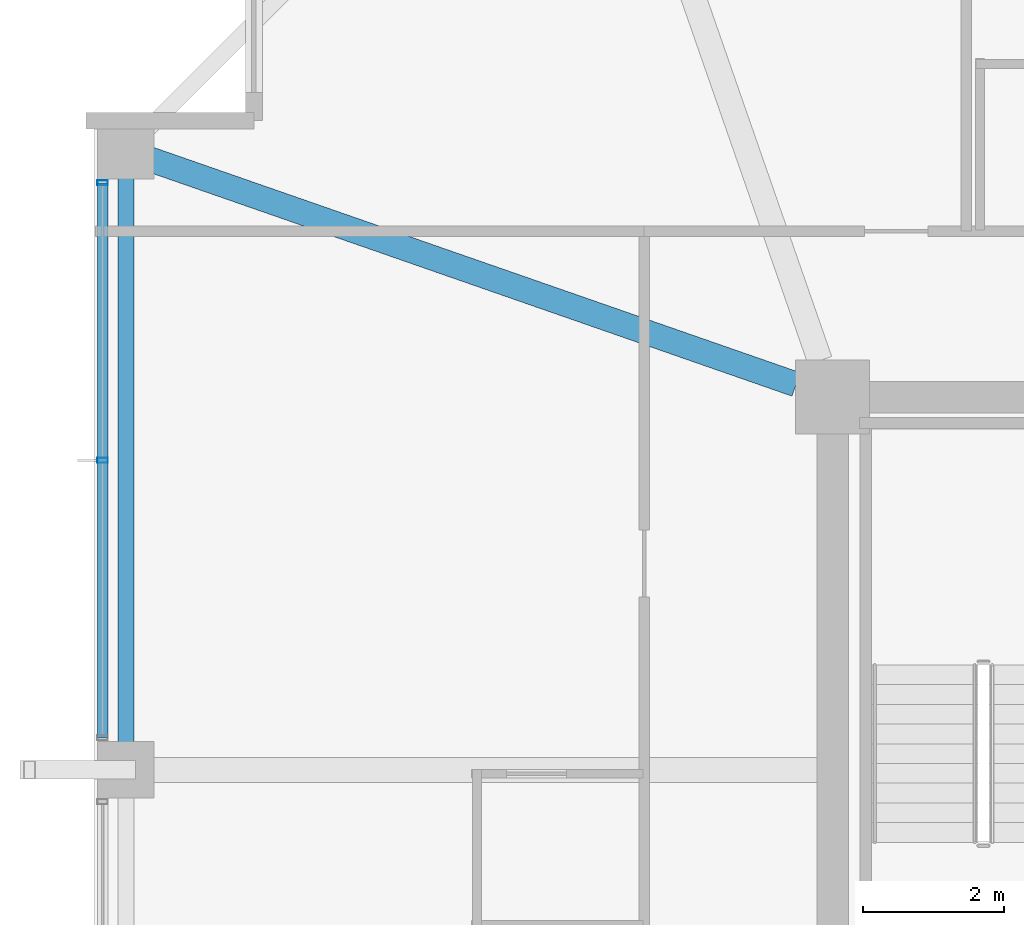
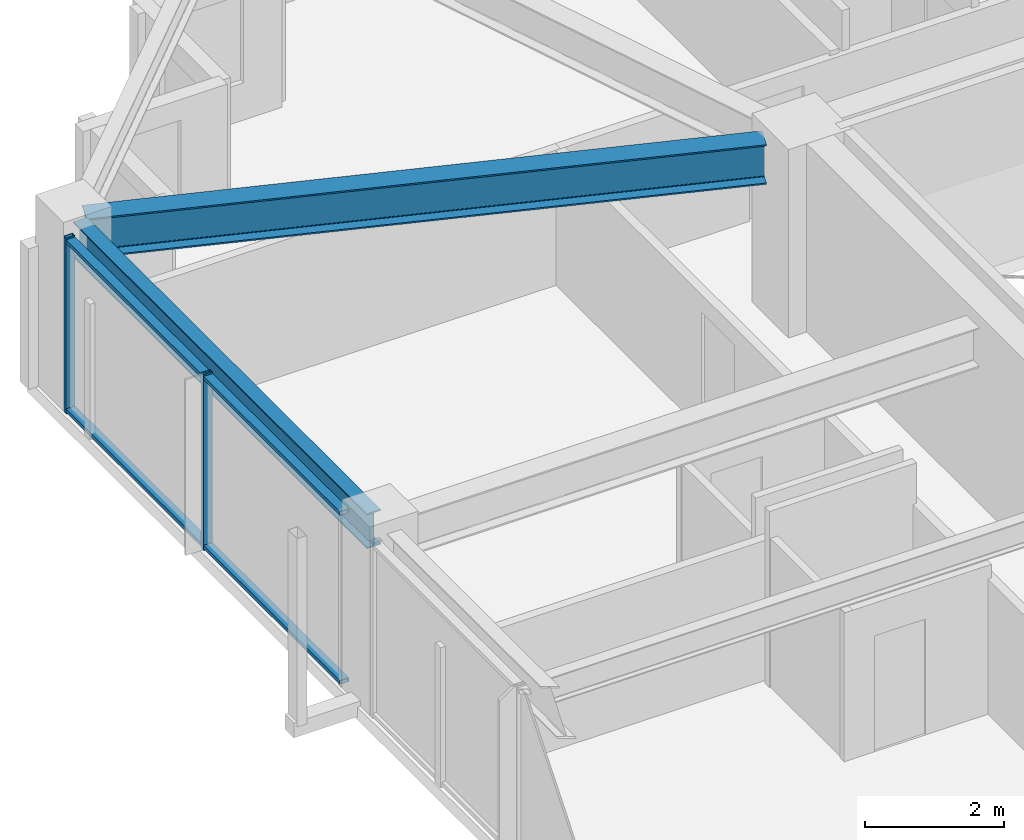
# One storey, part 16 of 38: 4 members, 2 beams, 1 element without a shape of its own.
"""IFC4 building model written with IfcOpenShell, lengths in metres."""

from ifc_helpers import new_model, si_unit, direction, frame, origin, origin_2d, place, context, subcontext, project, spatial, hollow_rectangle, i_section, extrude, material, material_profile, profile_set, type_object, element, aggregate, save


model = new_model("IFC4")

# Units and contexts
model_context = context("Model", 3, precision=1e-05, world=origin(), true_north=direction((0.0, 1.0)))
body_context = subcontext(model_context, "Body", "Model", "MODEL_VIEW")
ifc_project = project(units=[si_unit("LENGTHUNIT", "METRE"), si_unit("AREAUNIT", "SQUARE_METRE"), si_unit("VOLUMEUNIT", "CUBIC_METRE"), si_unit("PLANEANGLEUNIT", "RADIAN"), si_unit("MASSUNIT", "GRAM", prefix="KILO")], contexts=[model_context])

# Site, building, storey
site_placement = place(None, origin())
site = spatial("IfcSite", under=ifc_project, at=site_placement, CompositionType="ELEMENT")
building_placement = place(site_placement, origin())
building = spatial("IfcBuilding", under=site, at=building_placement, Name="Kolvaren Belvedere", CompositionType="ELEMENT")
storey_placement = place(building_placement, frame((0.0, 0.0, 213.0)))
storey = spatial("IfcBuildingStorey", under=building, at=storey_placement, Name="L62", CompositionType="ELEMENT", Elevation=213.0)

# Beams
ifc_material_1 = material(Name="Structural steel ASTM A992 Grade 50", Category="steel")
ifc_material_profile_1 = material_profile(ifc_material_1, i_section(OverallWidth=0.35498046875, OverallDepth=0.696044921875, WebThickness=0.015380859375, FlangeThickness=0.02490234375, FilletRadius=0.02197265625, at=origin_2d()), Name="W27X146")
ifc_profile_set_1 = profile_set([ifc_material_profile_1], Name="Structural steel ASTM A992 Grade 50")
beam_type_1 = type_object("IfcBeamType", Name="BM-GIRD-W27X146", PredefinedType="BEAM", material=ifc_profile_set_1)
beam_1_placement = place(storey_placement, frame((-10.41943359375, 10.080810546875, 2.73193359375), z_axis=(-0.944365399758, 0.328898147971, 0.0), x_axis=(-0.328898147971, -0.944365399758, 0.0)))
element("IfcBeam", 1, at=beam_1_placement, inside=storey, type_object=beam_type_1, Name="L62 Corner Core-to-Perimeter Girder CC4-W4", PredefinedType="BEAM", context=body_context, shape_type="SweptSolid", body=[
    extrude(i_section(OverallWidth=0.35498046875, OverallDepth=0.696044921875, WebThickness=0.015380859375, FlangeThickness=0.02490234375, FilletRadius=0.02197265625, at=origin_2d()), origin(), (0.0, 0.0, 1.0), 9.931884765625),
])
ifc_material_2 = material(Name="Structural steel ASTM A992 Grade 50", Category="steel")
ifc_material_profile_2 = material_profile(ifc_material_2, i_section(OverallWidth=0.22900390625, OverallDepth=0.612060546875, WebThickness=0.011962890625, FlangeThickness=0.01953125, FilletRadius=0.01806640625, at=origin_2d()), Name="W24X84")
ifc_profile_set_2 = profile_set([ifc_material_profile_2], Name="Structural steel ASTM A992 Grade 50")
beam_type_2 = type_object("IfcBeamType", Name="BM-SPAN-W24X84", PredefinedType="SPANDREL", material=ifc_profile_set_2)
beam_2_placement = place(storey_placement, frame((-19.949951171875, 13.219970703125, 2.77392578125), z_axis=(0.0, -1.0, 0.0), x_axis=(1.0, 0.0, 0.0)))
element("IfcBeam", 2, at=beam_2_placement, inside=storey, type_object=beam_type_2, Name="L62 Perimeter Spandrel W4-W3", PredefinedType="SPANDREL", context=body_context, shape_type="SweptSolid", body=[
    extrude(i_section(OverallWidth=0.22900390625, OverallDepth=0.612060546875, WebThickness=0.011962890625, FlangeThickness=0.01953125, FilletRadius=0.01806640625, at=origin_2d()), origin(), (0.0, 0.0, 1.0), 8.43994140625),
])

# Curtain wall, members
ifc_material_3 = material(Name="Anodised pale-metal aluminium AA 6063-T6", Category="aluminium")
curtain_wall_type = type_object("IfcCurtainWallType", Name="CW-Z5-HIGH", PredefinedType="NOTDEFINED", material=ifc_material_3)
curtain_wall_placement = place(storey_placement, origin())
curtain_wall = element("IfcCurtainWall", 3, at=curtain_wall_placement, inside=storey, type_object=curtain_wall_type, Name="L62 Unitised Curtain Wall FCW-L62-W-B3", PredefinedType="NOTDEFINED")
ifc_material_4 = material(Name="Anodised pale-metal aluminium AA 6063-T6", Category="aluminium")
ifc_material_profile_3 = material_profile(ifc_material_4, hollow_rectangle(XDim=0.070068359375, YDim=0.14990234375, WallThickness=0.004150390625, at=origin_2d()), Name="ALU-MUL-150X70")
ifc_profile_set_3 = profile_set([ifc_material_profile_3], Name="Anodised pale-metal aluminium AA 6063-T6")
member_type_1 = type_object("IfcMemberType", Name="CW-MUL-150", PredefinedType="MULLION", material=ifc_profile_set_3)
member_1_placement = place(storey_placement, frame((-20.280029296875, 9.0, 0.0), z_axis=(0.0, 0.0, 1.0), x_axis=(0.0, 1.0, 0.0)))
member_1 = element("IfcMember", 4, at=member_1_placement, type_object=member_type_1, Name="FCW-L62-W-B3 Unitised Mullion 2", PredefinedType="MULLION", context=body_context, shape_type="SweptSolid", body=[
    extrude(hollow_rectangle(XDim=0.070068359375, YDim=0.14990234375, WallThickness=0.004150390625, at=origin_2d()), origin(), (0.0, 0.0, 1.0), 3.080078125),
])
member_2_placement = place(storey_placement, frame((-20.280029296875, 12.945068359375, 0.0), z_axis=(0.0, 0.0, 1.0), x_axis=(0.0, 1.0, 0.0)))
member_2 = element("IfcMember", 5, at=member_2_placement, type_object=member_type_1, Name="FCW-L62-W-B3 Unitised Mullion 3", PredefinedType="MULLION", context=body_context, shape_type="SweptSolid", body=[
    extrude(hollow_rectangle(XDim=0.070068359375, YDim=0.14990234375, WallThickness=0.004150390625, at=origin_2d()), origin(), (0.0, 0.0, 1.0), 3.080078125),
])
ifc_material_5 = material(Name="Anodised pale-metal aluminium AA 6063-T6", Category="aluminium")
ifc_material_profile_4 = material_profile(ifc_material_5, hollow_rectangle(XDim=0.06494140625, YDim=0.14990234375, WallThickness=0.00390625, at=origin_2d()), Name="ALU-TRN-150X65")
ifc_profile_set_4 = profile_set([ifc_material_profile_4], Name="Anodised pale-metal aluminium AA 6063-T6")
member_type_2 = type_object("IfcMemberType", Name="CW-TRN-150", PredefinedType="USERDEFINED", material=ifc_profile_set_4)
member_3_placement = place(storey_placement, frame((-20.280029296875, 5.054931640625, 0.06005859375), z_axis=(0.0, 1.0, 0.0), x_axis=(0.0, 0.0, 1.0)))
member_3 = element("IfcMember", 6, at=member_3_placement, type_object=member_type_2, Name="FCW-L62-W-B3 Sill Transom", ObjectType="TRANSOM", PredefinedType="USERDEFINED", context=body_context, shape_type="SweptSolid", body=[
    extrude(hollow_rectangle(XDim=0.06494140625, YDim=0.14990234375, WallThickness=0.00390625, at=origin_2d()), origin(), (0.0, 0.0, 1.0), 7.89013671875),
])
member_4_placement = place(storey_placement, frame((-20.280029296875, 5.054931640625, 3.02001953125), z_axis=(0.0, 1.0, 0.0), x_axis=(0.0, 0.0, 1.0)))
member_4 = element("IfcMember", 7, at=member_4_placement, type_object=member_type_2, Name="FCW-L62-W-B3 Head Transom", ObjectType="TRANSOM", PredefinedType="USERDEFINED", context=body_context, shape_type="SweptSolid", body=[
    extrude(hollow_rectangle(XDim=0.06494140625, YDim=0.14990234375, WallThickness=0.00390625, at=origin_2d()), origin(), (0.0, 0.0, 1.0), 7.89013671875),
])
aggregate(curtain_wall, [member_1, member_2, member_3, member_4])

save(model, "model.ifc")
